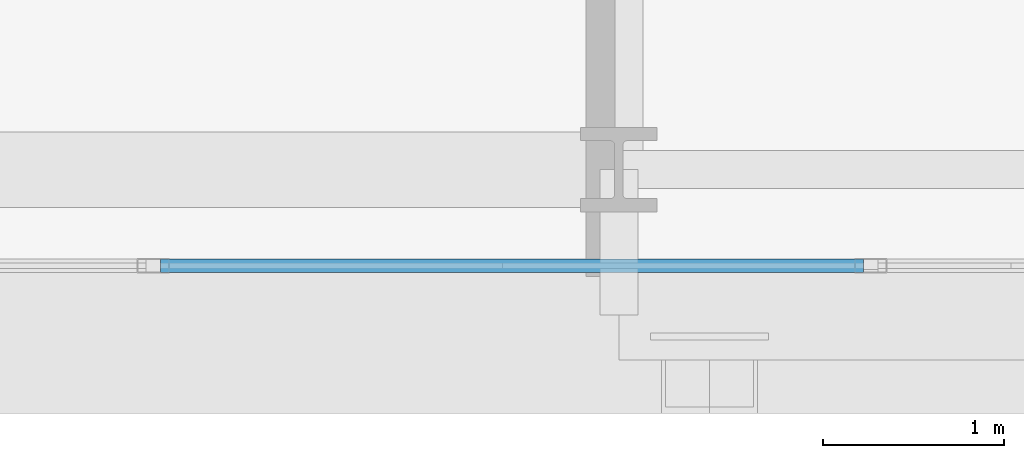
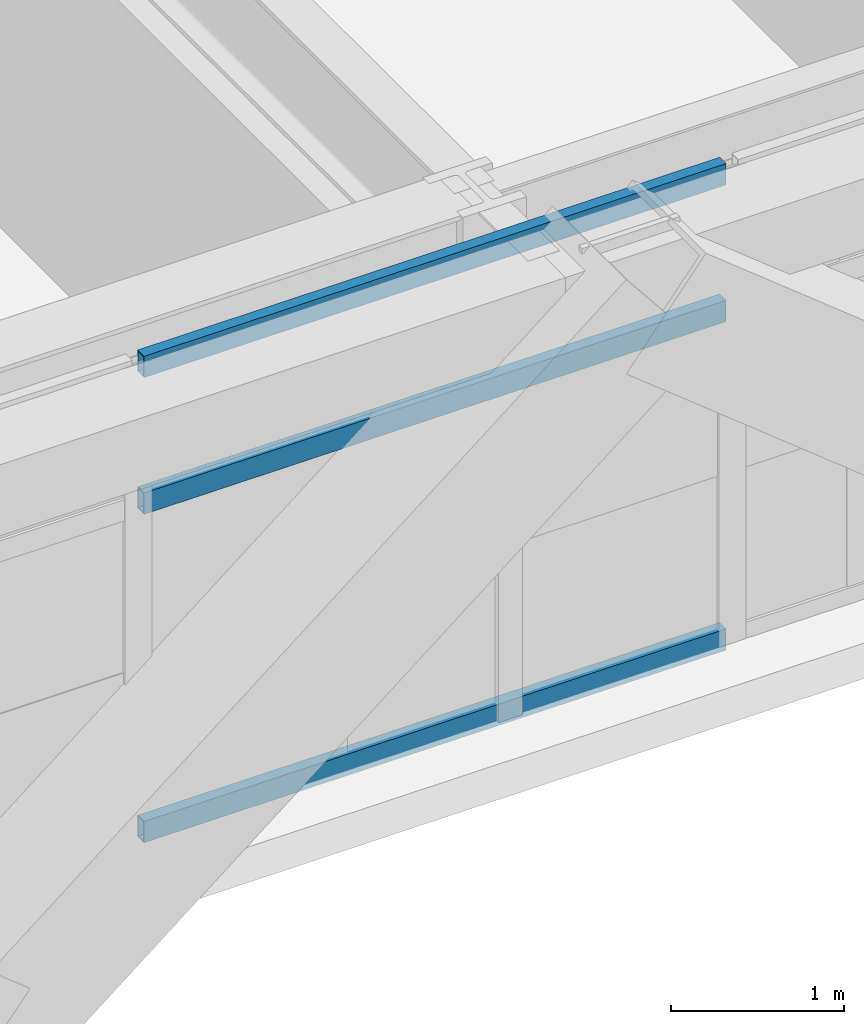
# One storey, part 6 of 41: 3 members, 1 element without a shape of its own.
"""IFC4 building model written with IfcOpenShell, lengths in metres."""

from ifc_helpers import new_model, si_unit, direction, frame, origin, origin_2d, place, context, subcontext, project, spatial, hollow_rectangle, extrude, source, transform, mapped, material, layer, layer_set, material_profile, profile_set, type_object, element, aggregate, save


model = new_model("IFC4")

# Units and contexts
model_context = context("Model", 3, precision=1e-05, world=origin(), true_north=direction((0.0, 1.0)))
body_context = subcontext(model_context, "Body", "Model", "MODEL_VIEW")
ifc_project = project(units=[si_unit("LENGTHUNIT", "METRE"), si_unit("AREAUNIT", "SQUARE_METRE"), si_unit("VOLUMEUNIT", "CUBIC_METRE"), si_unit("PLANEANGLEUNIT", "RADIAN"), si_unit("MASSUNIT", "GRAM", prefix="KILO")], contexts=[model_context])

# Site, building, storey
site_placement = place(None, origin())
site = spatial("IfcSite", under=ifc_project, at=site_placement, CompositionType="ELEMENT")
building_placement = place(site_placement, origin())
building = spatial("IfcBuilding", under=site, at=building_placement, Name="Ocotamira Hotel", CompositionType="ELEMENT")
storey_placement = place(building_placement, frame((0.0, 0.0, 38.39990234375)))
storey = spatial("IfcBuildingStorey", under=building, at=storey_placement, Name="L08", CompositionType="ELEMENT", Elevation=38.39990234375)

# Curtain wall, members
ifc_material_1 = material(Name="Anodised pale-metal aluminium and solar glass", Category="aluminium")
ifc_layer = layer(ifc_material_1, 0.179931640625)
ifc_layer_set = layer_set([ifc_layer], Name="Anodised pale-metal aluminium and solar glass")
curtain_wall_type = type_object("IfcCurtainWallType", Name="CW-SYS2-Z1", PredefinedType="NOTDEFINED", material=ifc_layer_set)
curtain_wall_placement = place(storey_placement, origin())
curtain_wall = element("IfcCurtainWall", 1, at=curtain_wall_placement, inside=storey, type_object=curtain_wall_type, Name="L08 Curtain Wall CW-2 CW-L08-S1", PredefinedType="NOTDEFINED")
ifc_material_2 = material(Name="Anodised pale-metal aluminium 6063-T6", Category="aluminium")
ifc_material_profile = material_profile(ifc_material_2, hollow_rectangle(XDim=0.074951171875, YDim=0.14990234375, WallThickness=0.006103515625, at=origin_2d()), Name="HSS150X75X6")
ifc_profile_set = profile_set([ifc_material_profile], Name="Anodised pale-metal aluminium 6063-T6")
member_type = type_object("IfcMemberType", Name="CWT-150X75", PredefinedType="USERDEFINED", material=ifc_profile_set)
shared_shape = source(origin(), body_context, "Body", "SweptSolid", [
    extrude(hollow_rectangle(XDim=0.074951171875, YDim=0.14990234375, WallThickness=0.006103515625, at=origin_2d()), origin(), (0.0, 0.0, 1.0), 3.87548828125),
])
member_1_placement = place(storey_placement, frame((37.973388671875, 2.419921875, 0.03759765625), z_axis=(1.0, 0.0, 0.0), x_axis=(0.0, 1.0, 0.0)))
member_1 = element("IfcMember", 2, at=member_1_placement, type_object=member_type, Name="CW-2 transom 7.1", ObjectType="TRANSOM", PredefinedType="USERDEFINED", context=body_context, shape_type="MappedRepresentation", body=[
    mapped(shared_shape, transform((0.0, 0.0, 0.0), scale=1.0)),
])
member_2_placement = place(storey_placement, frame((37.973388671875, 2.419921875, 2.35009765625), z_axis=(1.0, 0.0, 0.0), x_axis=(0.0, 1.0, 0.0)))
member_2 = element("IfcMember", 3, at=member_2_placement, type_object=member_type, Name="CW-2 transom 7.2", ObjectType="TRANSOM", PredefinedType="USERDEFINED", context=body_context, shape_type="MappedRepresentation", body=[
    mapped(shared_shape, transform((0.0, 0.0, 0.0), scale=1.0)),
])
member_3_placement = place(storey_placement, frame((37.973388671875, 2.419921875, 3.3125), z_axis=(1.0, 0.0, 0.0), x_axis=(0.0, 1.0, 0.0)))
member_3 = element("IfcMember", 4, at=member_3_placement, type_object=member_type, Name="CW-2 transom 7.3", ObjectType="TRANSOM", PredefinedType="USERDEFINED", context=body_context, shape_type="MappedRepresentation", body=[
    mapped(shared_shape, transform((0.0, 0.0, 0.0), scale=1.0)),
])
aggregate(curtain_wall, [member_1, member_2, member_3])

save(model, "model.ifc")
